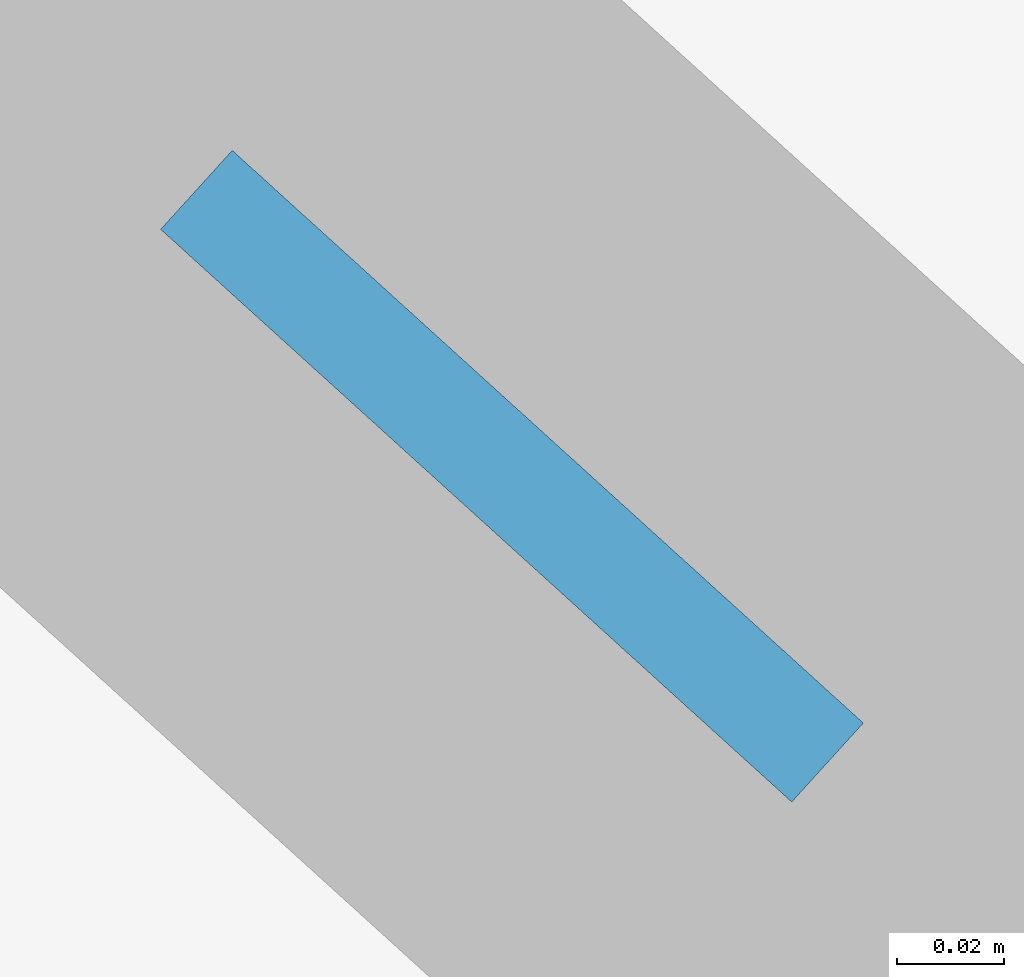
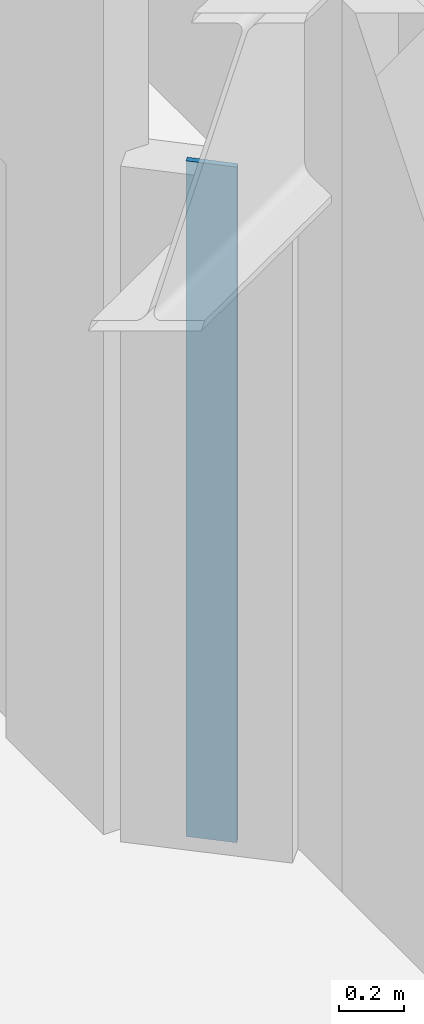
# One storey, part 2 of 9: 1 plate.
"""IFC4 building model written with IfcOpenShell, lengths in metres."""

from ifc_helpers import new_model, si_unit, direction, frame, origin, origin_2d, place, context, subcontext, project, spatial, rectangle, extrude, material, layer, layer_set, type_object, element, save


model = new_model("IFC4")

# Units and contexts
model_context = context("Model", 3, precision=1e-05, world=origin(), true_north=direction((0.0, 1.0)))
body_context = subcontext(model_context, "Body", "Model", "MODEL_VIEW")
ifc_project = project(units=[si_unit("LENGTHUNIT", "METRE"), si_unit("AREAUNIT", "SQUARE_METRE"), si_unit("VOLUMEUNIT", "CUBIC_METRE"), si_unit("PLANEANGLEUNIT", "RADIAN"), si_unit("MASSUNIT", "GRAM", prefix="KILO")], contexts=[model_context])

# Site, building, storey
site_placement = place(None, origin())
site = spatial("IfcSite", under=ifc_project, at=site_placement, CompositionType="ELEMENT")
building_placement = place(site_placement, origin())
building = spatial("IfcBuilding", under=site, at=building_placement, Name="Miruveldt Soraemaru", CompositionType="ELEMENT")
storey_placement = place(building_placement, frame((0.0, 0.0, 241.199951171875)))
storey = spatial("IfcBuildingStorey", under=building, at=storey_placement, Name="L66", CompositionType="ELEMENT", Elevation=241.199951171875)

# Plate
ifc_material = material(Name="Anodised aluminium EN AW-6063 T6", Category="aluminium")
ifc_layer = layer(ifc_material, 0.02001953125, Name="Anodised aluminium EN AW-6063 T6", Category="aluminium")
ifc_layer_set = layer_set([ifc_layer], Name="Anodised aluminium EN AW-6063 T6")
plate_type = type_object("IfcPlateType", Name="PLT-PART-TRIM", PredefinedType="SHEET", material=ifc_layer_set)
plate_placement = place(storey_placement, frame((35.14990234375, 52.87158203125, 0.0), z_axis=(0.0, 0.0, 1.0), x_axis=(0.74057007644, -0.671979137981, 0.0)))
element("IfcPlate", 1, at=plate_placement, inside=storey, type_object=plate_type, Name="L66 Partition Step Corner Trim Plate 001", PredefinedType="SHEET", context=body_context, shape_type="SweptSolid", body=[
    extrude(rectangle(XDim=0.159912109375, YDim=0.02001953125, at=origin_2d()), origin(), (0.0, 0.0, 1.0), 2.532958984375),
])

save(model, "model.ifc")
